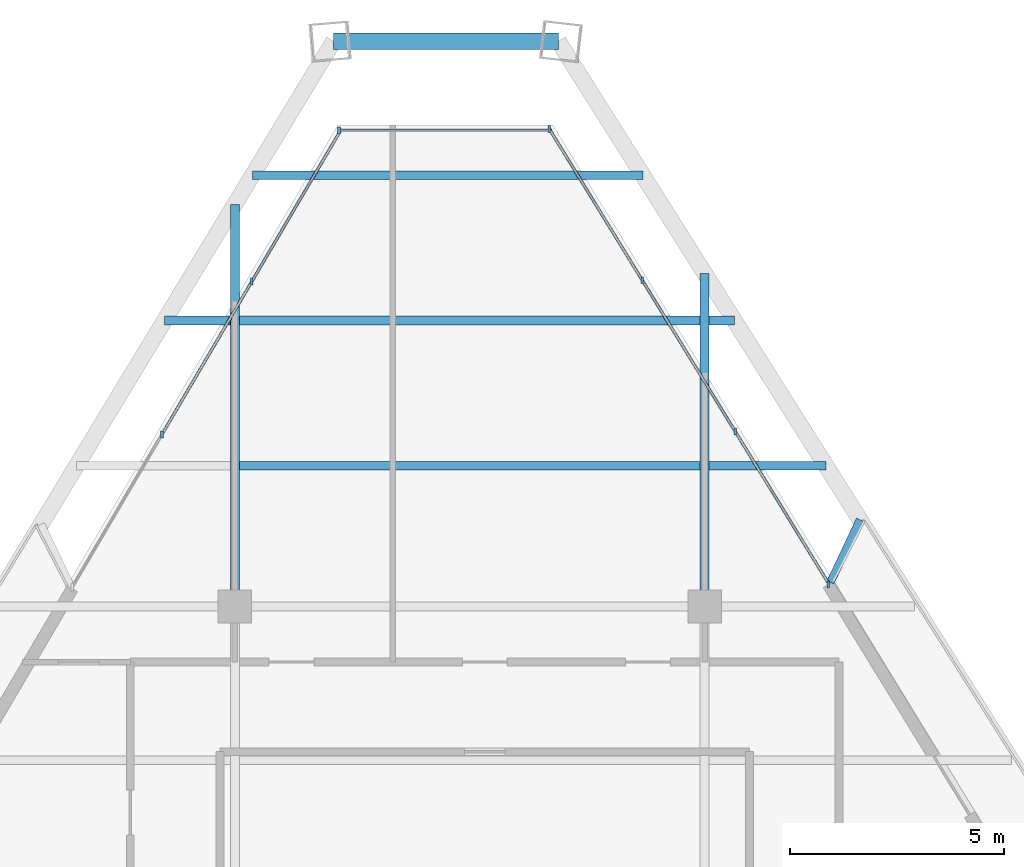
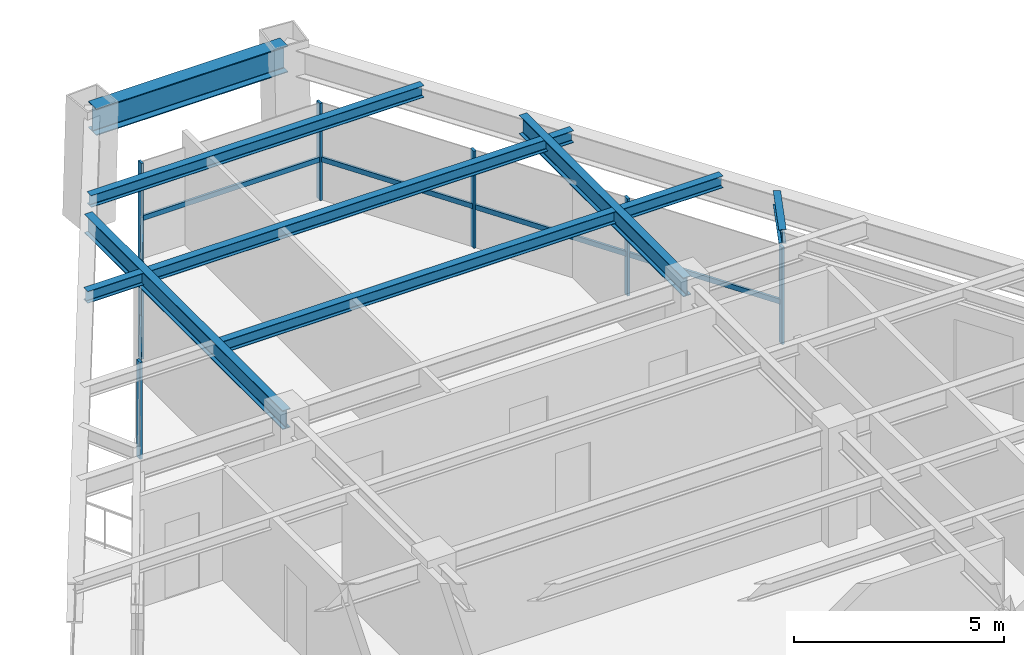
# One storey, part 7 of 13: 13 members, 9 beams, 3 elements without a shape of their own.
"""IFC4 building model written with IfcOpenShell, lengths in metres."""

from ifc_helpers import new_model, si_unit, direction, frame, origin, origin_2d, place, context, subcontext, project, spatial, rectangle, i_section, extrude, source, transform, mapped, material, material_profile, profile_set, type_object, type_shapes, element, aggregate, save


model = new_model("IFC4")

# Units and contexts
model_context = context("Model", 3, precision=1e-05, world=origin(), true_north=direction((0.0, 1.0)))
body_context = subcontext(model_context, "Body", "Model", "MODEL_VIEW")
ifc_project = project(units=[si_unit("LENGTHUNIT", "METRE"), si_unit("AREAUNIT", "SQUARE_METRE"), si_unit("VOLUMEUNIT", "CUBIC_METRE"), si_unit("PLANEANGLEUNIT", "RADIAN"), si_unit("MASSUNIT", "GRAM", prefix="KILO")], contexts=[model_context])

# Site, building, storey
site_placement = place(None, origin())
site = spatial("IfcSite", under=ifc_project, at=site_placement, CompositionType="ELEMENT")
building_placement = place(site_placement, origin())
building = spatial("IfcBuilding", under=site, at=building_placement, Name="Varnakhor Terracotta Tower", CompositionType="ELEMENT")
storey_placement = place(building_placement, frame((0.0, 0.0, 244.14990234375)))
storey = spatial("IfcBuildingStorey", under=building, at=storey_placement, Name="L63", CompositionType="ELEMENT", Elevation=244.14990234375)

# Beams
ifc_material_1 = material(Name="Steel S355", Category="steel")
ifc_material_profile_1 = material_profile(ifc_material_1, i_section(OverallWidth=0.202880859375, OverallDepth=0.346923828125, WebThickness=0.0078125, FlangeThickness=0.013427734375, FilletRadius=0.01806640625, at=origin_2d()), Name="W14X43")
ifc_profile_set_1 = profile_set([ifc_material_profile_1], Name="Steel S355")
beam_type_1 = type_object("IfcBeamType", Name="JST-W14X43", PredefinedType="JOIST", material=ifc_profile_set_1)
shared_shape_1 = source(origin(), body_context, "Body", "SweptSolid", [
    extrude(i_section(OverallWidth=0.202880859375, OverallDepth=0.346923828125, WebThickness=0.0078125, FlangeThickness=0.013427734375, FilletRadius=0.01806640625, at=origin_2d()), origin(), (0.0, 0.0, 1.0), 10.7939453125),
])
beam_1_placement = place(storey_placement, frame((-5.39697265625, 34.800048828125, 3.066650390625), z_axis=(1.0, 0.0, 0.0), x_axis=(0.0, 1.0, 0.0)))
element("IfcBeam", 1, at=beam_1_placement, inside=storey, type_object=beam_type_1, Name="L63 Composite Floor Joist 7-2", PredefinedType="JOIST", context=body_context, shape_type="MappedRepresentation", body=[
    mapped(shared_shape_1, transform((0.0, 0.0, 0.0), scale=1.0)),
])
ifc_material_profile_2 = material_profile(ifc_material_1, i_section(OverallWidth=0.381103515625, OverallDepth=0.77294921875, WebThickness=0.01708984375, FlangeThickness=0.027099609375, FilletRadius=0.01806640625, at=origin_2d()), Name="W30X173")
ifc_profile_set_2 = profile_set([ifc_material_profile_2], Name="Steel S355")
beam_type_2 = type_object("IfcBeamType", Name="BM-W30X173", PredefinedType="BEAM", material=ifc_profile_set_2)
shared_shape_2 = source(origin(), body_context, "Body", "SweptSolid", [
    extrude(i_section(OverallWidth=0.381103515625, OverallDepth=0.77294921875, WebThickness=0.01708984375, FlangeThickness=0.027099609375, FilletRadius=0.01806640625, at=origin_2d()), origin(), (0.0, 0.0, 1.0), 5.261474609375),
])
beam_2_placement = place(storey_placement, frame((2.073486328125, 44.7373046875, 2.853515625), z_axis=(-1.0, 0.0, 0.0), x_axis=(0.0, -1.0, 0.0)))
element("IfcBeam", 2, at=beam_2_placement, inside=storey, type_object=beam_type_2, Name="L63 Perimeter Spandrel 5", PredefinedType="BEAM", context=body_context, shape_type="MappedRepresentation", body=[
    mapped(shared_shape_2, transform((0.0, 0.0, 0.0), scale=1.0)),
])
ifc_material_profile_3 = material_profile(ifc_material_1, i_section(OverallWidth=0.214111328125, OverallDepth=0.549072265625, WebThickness=0.014892578125, FlangeThickness=0.02392578125, FilletRadius=0.01806640625, at=origin_2d()), Name="W21X93")
ifc_profile_set_3 = profile_set([ifc_material_profile_3], Name="Steel S355")
beam_type_3 = type_object("IfcBeamType", Name="BM-W21X93", PredefinedType="BEAM", material=ifc_profile_set_3)
shared_shape_3 = source(origin(), body_context, "Body", "SweptSolid", [
    extrude(i_section(OverallWidth=0.214111328125, OverallDepth=0.549072265625, WebThickness=0.014892578125, FlangeThickness=0.02392578125, FilletRadius=0.01806640625, at=origin_2d()), origin(), (0.0, 0.0, 1.0), 9.419677734375),
])
beam_3_placement = place(storey_placement, frame((-5.5, 31.5, 2.965576171875), z_axis=(0.0, 1.0, 0.0), x_axis=(-1.0, 0.0, 0.0)))
element("IfcBeam", 3, at=beam_3_placement, inside=storey, type_object=beam_type_3, Name="L63 Primary Girder NS3-W", PredefinedType="BEAM", context=body_context, shape_type="MappedRepresentation", body=[
    mapped(shared_shape_3, transform((0.0, 0.0, 0.0), scale=1.0)),
])
shared_shape_4 = source(origin(), body_context, "Body", "SweptSolid", [
    extrude(i_section(OverallWidth=0.214111328125, OverallDepth=0.549072265625, WebThickness=0.014892578125, FlangeThickness=0.02392578125, FilletRadius=0.01806640625, at=origin_2d()), origin(), (0.0, 0.0, 1.0), 7.802978515625),
])
beam_4_placement = place(storey_placement, frame((5.5, 31.5, 2.965576171875), z_axis=(0.0, 1.0, 0.0), x_axis=(-1.0, 0.0, 0.0)))
element("IfcBeam", 4, at=beam_4_placement, inside=storey, type_object=beam_type_3, Name="L63 Primary Girder NS3-E", PredefinedType="BEAM", context=body_context, shape_type="MappedRepresentation", body=[
    mapped(shared_shape_4, transform((0.0, 0.0, 0.0), scale=1.0)),
])
shared_shape_5 = source(origin(), body_context, "Body", "SweptSolid", [
    extrude(i_section(OverallWidth=0.202880859375, OverallDepth=0.346923828125, WebThickness=0.0078125, FlangeThickness=0.013427734375, FilletRadius=0.01806640625, at=origin_2d()), origin(), (0.0, 0.0, 1.0), 2.736083984375),
])
beam_5_placement = place(storey_placement, frame((5.60302734375, 34.800048828125, 3.066650390625), z_axis=(1.0, 0.0, 0.0), x_axis=(0.0, 1.0, 0.0)))
element("IfcBeam", 5, at=beam_5_placement, inside=storey, type_object=beam_type_1, Name="L63 Composite Floor Joist 7-3", PredefinedType="JOIST", context=body_context, shape_type="MappedRepresentation", body=[
    mapped(shared_shape_5, transform((0.0, 0.0, 0.0), scale=1.0)),
])
shared_shape_6 = source(origin(), body_context, "Body", "SweptSolid", [
    extrude(i_section(OverallWidth=0.202880859375, OverallDepth=0.346923828125, WebThickness=0.0078125, FlangeThickness=0.013427734375, FilletRadius=0.01806640625, at=origin_2d()), origin(), (0.0, 0.0, 1.0), 1.544189453125),
])
beam_6_placement = place(storey_placement, frame((-7.147216796875, 38.199951171875, 3.066650390625), z_axis=(1.0, 0.0, 0.0), x_axis=(0.0, 1.0, 0.0)))
element("IfcBeam", 6, at=beam_6_placement, inside=storey, type_object=beam_type_1, Name="L63 Composite Floor Joist 8-1", PredefinedType="JOIST", context=body_context, shape_type="MappedRepresentation", body=[
    mapped(shared_shape_6, transform((0.0, 0.0, 0.0), scale=1.0)),
])
shared_shape_7 = source(origin(), body_context, "Body", "SweptSolid", [
    extrude(i_section(OverallWidth=0.202880859375, OverallDepth=0.346923828125, WebThickness=0.0078125, FlangeThickness=0.013427734375, FilletRadius=0.01806640625, at=origin_2d()), origin(), (0.0, 0.0, 1.0), 11.59228515625),
])
beam_7_placement = place(storey_placement, frame((-5.39697265625, 38.199951171875, 3.066650390625), z_axis=(1.0, 0.0, 0.0), x_axis=(0.0, 1.0, 0.0)))
element("IfcBeam", 7, at=beam_7_placement, inside=storey, type_object=beam_type_1, Name="L63 Composite Floor Joist 8-2", PredefinedType="JOIST", context=body_context, shape_type="MappedRepresentation", body=[
    mapped(shared_shape_7, transform((0.0, 0.0, 0.0), scale=1.0)),
])
shared_shape_8 = source(origin(), body_context, "Body", "SweptSolid", [
    extrude(i_section(OverallWidth=0.202880859375, OverallDepth=0.346923828125, WebThickness=0.0078125, FlangeThickness=0.013427734375, FilletRadius=0.01806640625, at=origin_2d()), origin(), (0.0, 0.0, 1.0), 9.139404296875),
])
beam_8_placement = place(storey_placement, frame((-5.087890625, 41.60009765625, 3.066650390625), z_axis=(1.0, 0.0, 0.0), x_axis=(0.0, 1.0, 0.0)))
element("IfcBeam", 8, at=beam_8_placement, inside=storey, type_object=beam_type_1, Name="L63 Composite Floor Joist 9-1", PredefinedType="JOIST", context=body_context, shape_type="MappedRepresentation", body=[
    mapped(shared_shape_8, transform((0.0, 0.0, 0.0), scale=1.0)),
])

# Curtain wall, members
ifc_material_2 = material(Name="Anodised Aluminium Curtain Wall System", Category="aluminium")
curtain_wall_type = type_object("IfcCurtainWallType", Name="CW-SYS-HOTEL-LOGGIA", PredefinedType="NOTDEFINED", material=ifc_material_2)
curtain_wall_1_placement = place(storey_placement, origin())
curtain_wall_1 = element("IfcCurtainWall", 9, at=curtain_wall_1_placement, inside=storey, type_object=curtain_wall_type, Name="L63 W Facet Curtain Wall 2", PredefinedType="NOTDEFINED")
ifc_material_3 = material(Name="Anodised Aluminium 6063-T6", Category="aluminium")
ifc_material_profile_4 = material_profile(ifc_material_3, rectangle(XDim=0.06494140625, YDim=0.159912109375, at=origin_2d()), Name="ALU MULLION 65x160")
ifc_profile_set_4 = profile_set([ifc_material_profile_4], Name="Anodised Aluminium 6063-T6")
member_type_1 = type_object("IfcMemberType", Name="CWM-04", PredefinedType="MULLION", material=ifc_profile_set_4)
shared_shape_9 = source(origin(), body_context, "Body", "SweptSolid", [
    extrude(rectangle(XDim=0.06494140625, YDim=0.159912109375, at=origin_2d()), origin(), (0.0, 0.0, 1.0), 2.820068359375),
])
type_shapes(member_type_1, [shared_shape_9])
member_1_placement = place(storey_placement, frame((-7.20751953125, 35.531005859375, 0.0), z_axis=(0.0, 0.0, 1.0), x_axis=(1.0, 0.0, 0.0)))
member_1 = element("IfcMember", 10, at=member_1_placement, type_object=member_type_1, Name="L63 W Facet Curtain Wall 2 Mullion 2", PredefinedType="MULLION", context=body_context, shape_type="MappedRepresentation", body=[
    mapped(shared_shape_9, transform((0.0, 0.0, 0.0), scale=1.0)),
])
member_2_placement = place(storey_placement, frame((-5.10498046875, 39.107666015625, 0.0), z_axis=(0.0, 0.0, 1.0), x_axis=(1.0, 0.0, 0.0)))
member_2 = element("IfcMember", 11, at=member_2_placement, type_object=member_type_1, Name="L63 W Facet Curtain Wall 2 Mullion 3", PredefinedType="MULLION", context=body_context, shape_type="MappedRepresentation", body=[
    mapped(shared_shape_9, transform((0.0, 0.0, 0.0), scale=1.0)),
])

# Curtain wall, member
curtain_wall_2_placement = place(storey_placement, origin())
curtain_wall_2 = element("IfcCurtainWall", 12, at=curtain_wall_2_placement, inside=storey, type_object=curtain_wall_type, Name="L63 Facet Curtain Wall 2", PredefinedType="NOTDEFINED")
member_3_placement = place(storey_placement, frame((-3.060791015625, 42.651123046875, 0.0), z_axis=(0.0, 0.0, 1.0), x_axis=(1.0, 0.0, 0.0)))
member_3 = element("IfcMember", 13, at=member_3_placement, type_object=member_type_1, Name="L63 Facet Curtain Wall 2 Mullion 1", PredefinedType="MULLION", context=body_context, shape_type="MappedRepresentation", body=[
    mapped(shared_shape_9, transform((0.0, 0.0, 0.0), scale=1.0)),
])

# Curtain wall, members
curtain_wall_3_placement = place(storey_placement, origin())
curtain_wall_3 = element("IfcCurtainWall", 14, at=curtain_wall_3_placement, inside=storey, type_object=curtain_wall_type, Name="L63 E Facet Curtain Wall 1", PredefinedType="NOTDEFINED")
member_4_placement = place(storey_placement, frame((1.86376953125, 42.6826171875, 0.0), z_axis=(0.0, 0.0, 1.0), x_axis=(1.0, 0.0, 0.0)))
member_4 = element("IfcMember", 15, at=member_4_placement, type_object=member_type_1, Name="L63 E Facet Curtain Wall 1 Mullion 1", PredefinedType="MULLION", context=body_context, shape_type="MappedRepresentation", body=[
    mapped(shared_shape_9, transform((0.0, 0.0, 0.0), scale=1.0)),
])
member_5_placement = place(storey_placement, frame((4.041015625, 39.139404296875, 0.0), z_axis=(0.0, 0.0, 1.0), x_axis=(1.0, 0.0, 0.0)))
member_5 = element("IfcMember", 16, at=member_5_placement, type_object=member_type_1, Name="L63 E Facet Curtain Wall 1 Mullion 2", PredefinedType="MULLION", context=body_context, shape_type="MappedRepresentation", body=[
    mapped(shared_shape_9, transform((0.0, 0.0, 0.0), scale=1.0)),
])
member_6_placement = place(storey_placement, frame((6.218505859375, 35.59619140625, 0.0), z_axis=(0.0, 0.0, 1.0), x_axis=(1.0, 0.0, 0.0)))
member_6 = element("IfcMember", 17, at=member_6_placement, type_object=member_type_1, Name="L63 E Facet Curtain Wall 1 Mullion 3", PredefinedType="MULLION", context=body_context, shape_type="MappedRepresentation", body=[
    mapped(shared_shape_9, transform((0.0, 0.0, 0.0), scale=1.0)),
])
member_7_placement = place(storey_placement, frame((8.394287109375, 32.01708984375, 0.0), z_axis=(0.0, 0.0, 1.0), x_axis=(1.0, 0.0, 0.0)))
member_7 = element("IfcMember", 18, at=member_7_placement, type_object=member_type_1, Name="L63 E Loggia Jamb Closure Mullion 1", PredefinedType="MULLION", context=body_context, shape_type="MappedRepresentation", body=[
    mapped(shared_shape_9, transform((0.0, 0.0, 0.0), scale=1.0)),
])

# Member
ifc_material_profile_5 = material_profile(ifc_material_3, rectangle(XDim=0.06494140625, YDim=0.14501953125, at=origin_2d()), Name="ALU TRANSOM 65x145")
ifc_profile_set_5 = profile_set([ifc_material_profile_5], Name="Anodised Aluminium 6063-T6")
member_type_2 = type_object("IfcMemberType", Name="CWT-04", PredefinedType="USERDEFINED", material=ifc_profile_set_5)
shared_shape_10 = source(origin(), body_context, "Body", "SweptSolid", [
    extrude(rectangle(XDim=0.06494140625, YDim=0.14501953125, at=origin_2d()), origin(), (0.0, 0.0, 1.0), 4.14892578125),
])
member_8_placement = place(storey_placement, frame((-7.20751953125, 35.531005859375, 1.1845703125), z_axis=(0.506773229013, 0.862079401422, 0.0), x_axis=(-0.862079401422, 0.506773229013, 0.0)))
member_8 = element("IfcMember", 19, at=member_8_placement, type_object=member_type_2, Name="L63 W Facet Curtain Wall 2 Transom 2", ObjectType="TRANSOM", PredefinedType="USERDEFINED", context=body_context, shape_type="MappedRepresentation", body=[
    mapped(shared_shape_10, transform((0.0, 0.0, 0.0), scale=1.0)),
])

member_9_placement = place(storey_placement, frame((-5.10498046875, 39.107666015625, 1.1845703125), z_axis=(0.506773229013, 0.862079401422, 0.0), x_axis=(-0.862079401422, 0.506773229013, 0.0)))
member_9 = element("IfcMember", 20, at=member_9_placement, type_object=member_type_2, Name="L63 W Facet Curtain Wall 2 Transom 3", ObjectType="TRANSOM", PredefinedType="USERDEFINED", context=body_context, shape_type="MappedRepresentation", body=[
    mapped(shared_shape_10, transform((0.0, 0.0, 0.0), scale=1.0)),
])

aggregate(curtain_wall_1, [member_1, member_8, member_2, member_9])

shared_shape_11 = source(origin(), body_context, "Body", "SweptSolid", [
    extrude(rectangle(XDim=0.06494140625, YDim=0.14501953125, at=origin_2d()), origin(), (0.0, 0.0, 1.0), 4.981201171875),
])
member_10_placement = place(storey_placement, frame((-3.060791015625, 42.651123046875, 1.1845703125), z_axis=(1.0, 0.0, 0.0), x_axis=(0.0, 1.0, 0.0)))
member_10 = element("IfcMember", 21, at=member_10_placement, type_object=member_type_2, Name="L63 Facet Curtain Wall 2 Transom 1", ObjectType="TRANSOM", PredefinedType="USERDEFINED", context=body_context, shape_type="MappedRepresentation", body=[
    mapped(shared_shape_11, transform((0.0, 0.0, 0.0), scale=1.0)),
])

aggregate(curtain_wall_2, [member_3, member_10])

shared_shape_12 = source(origin(), body_context, "Body", "SweptSolid", [
    extrude(rectangle(XDim=0.06494140625, YDim=0.14501953125, at=origin_2d()), origin(), (0.0, 0.0, 1.0), 4.15869140625),
])
member_11_placement = place(storey_placement, frame((1.86376953125, 42.6826171875, 1.1845703125), z_axis=(0.523540488091, -0.852000796554, 0.0), x_axis=(0.852000796554, 0.523540488091, 0.0)))
member_11 = element("IfcMember", 22, at=member_11_placement, type_object=member_type_2, Name="L63 E Facet Curtain Wall 1 Transom 1", ObjectType="TRANSOM", PredefinedType="USERDEFINED", context=body_context, shape_type="MappedRepresentation", body=[
    mapped(shared_shape_12, transform((0.0, 0.0, 0.0), scale=1.0)),
])

member_12_placement = place(storey_placement, frame((6.218505859375, 35.59619140625, 1.1845703125), z_axis=(0.523540488091, -0.852000796554, 0.0), x_axis=(0.852000796554, 0.523540488091, 0.0)))
member_12 = element("IfcMember", 23, at=member_12_placement, type_object=member_type_2, Name="L63 E Facet Curtain Wall 1 Transom 3", ObjectType="TRANSOM", PredefinedType="USERDEFINED", context=body_context, shape_type="MappedRepresentation", body=[
    mapped(shared_shape_12, transform((0.0, 0.0, 0.0), scale=1.0)),
])

shared_shape_13 = source(origin(), body_context, "Body", "SweptSolid", [
    extrude(rectangle(XDim=0.06494140625, YDim=0.14501953125, at=origin_2d()), origin(), (0.0, 0.0, 1.0), 4.158935546875),
])
member_13_placement = place(storey_placement, frame((4.041015625, 39.139404296875, 1.1845703125), z_axis=(0.523583101158, -0.851974610057, 0.0), x_axis=(0.851974610057, 0.523583101158, 0.0)))
member_13 = element("IfcMember", 24, at=member_13_placement, type_object=member_type_2, Name="L63 E Facet Curtain Wall 1 Transom 2", ObjectType="TRANSOM", PredefinedType="USERDEFINED", context=body_context, shape_type="MappedRepresentation", body=[
    mapped(shared_shape_13, transform((0.0, 0.0, 0.0), scale=1.0)),
])

aggregate(curtain_wall_3, [member_4, member_11, member_5, member_13, member_6, member_12, member_7])

# Beam
ifc_material_profile_6 = material_profile(ifc_material_1, i_section(OverallWidth=0.179931640625, OverallDepth=0.39990234375, WebThickness=0.008544921875, FlangeThickness=0.013427734375, FilletRadius=0.01806640625, at=origin_2d()), Name="IPE400")
ifc_profile_set_6 = profile_set([ifc_material_profile_6], Name="Steel S355")
beam_type_4 = type_object("IfcBeamType", Name="JST-IPE400", PredefinedType="JOIST", material=ifc_profile_set_6)
shared_shape_14 = source(origin(), body_context, "Body", "SweptSolid", [
    extrude(i_section(OverallWidth=0.179931640625, OverallDepth=0.39990234375, WebThickness=0.008544921875, FlangeThickness=0.013427734375, FilletRadius=0.01806640625, at=origin_2d()), origin(), (0.0, 0.0, 1.0), 1.627197265625),
])
beam_9_placement = place(storey_placement, frame((8.443359375, 32.0625, 3.0400390625), z_axis=(0.426570044637, 0.9044545301, 0.0), x_axis=(-0.9044545301, 0.426570044637, 0.0)))
element("IfcBeam", 25, at=beam_9_placement, inside=storey, type_object=beam_type_4, Name="L64 E Loggia Tie Beam 1", PredefinedType="JOIST", context=body_context, shape_type="MappedRepresentation", body=[
    mapped(shared_shape_14, transform((0.0, 0.0, 0.0), scale=1.0)),
])

save(model, "model.ifc")
